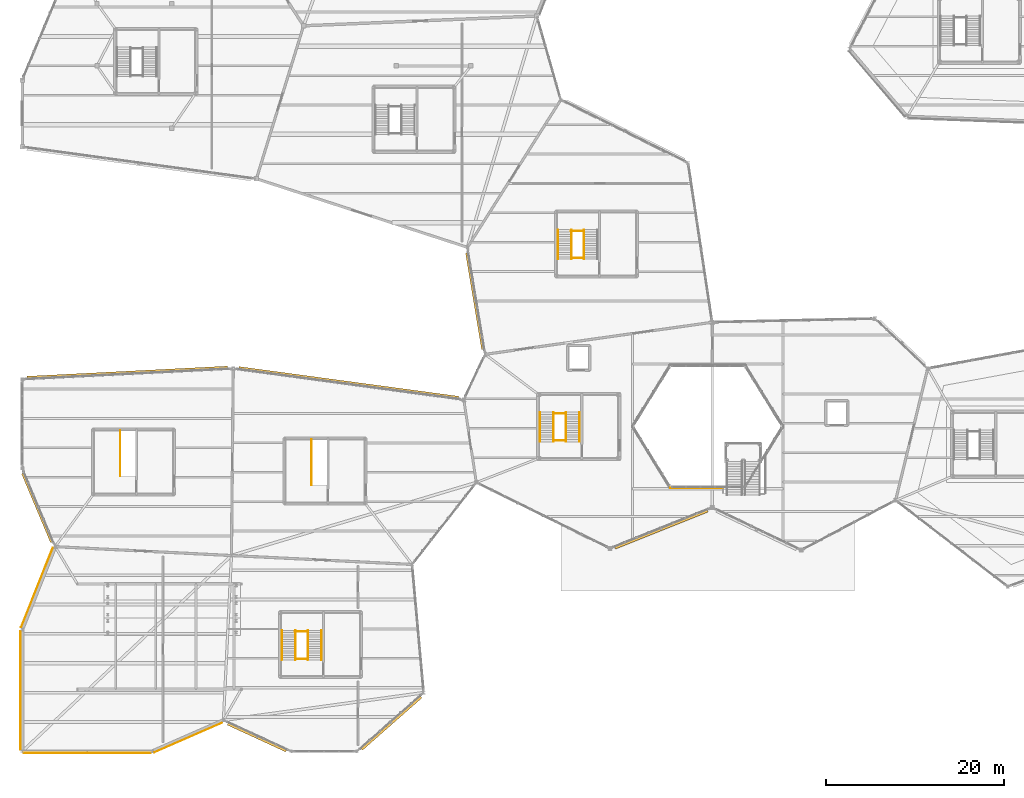
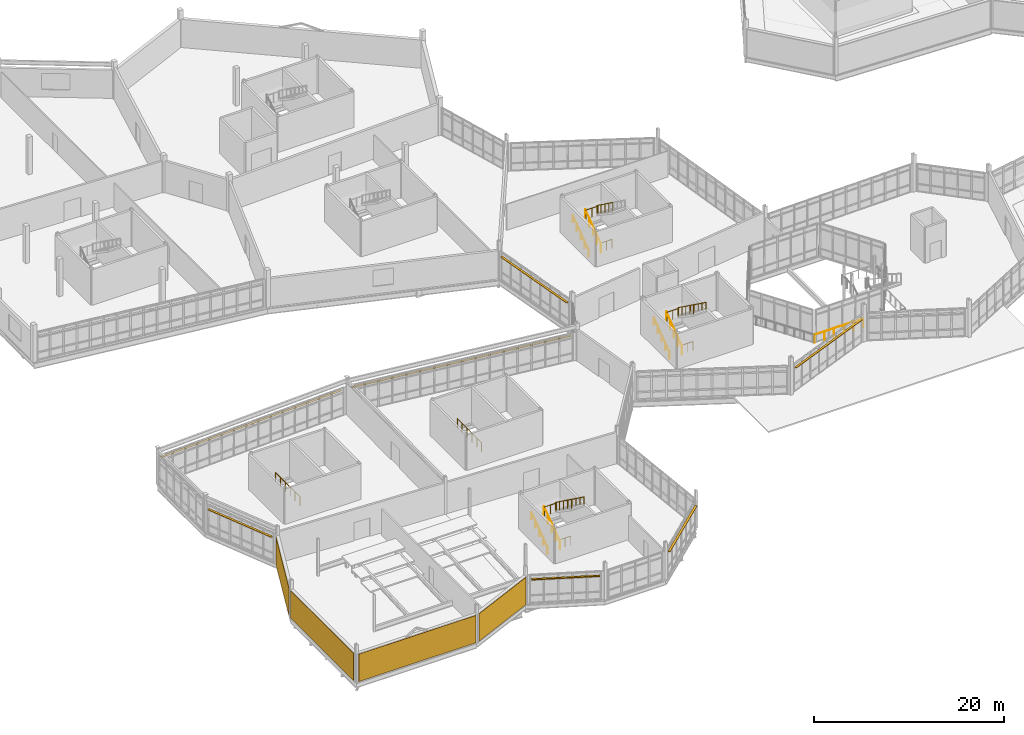
# One storey, part 128 of 134: 20 railings, 7 shading devices, 4 coverings.
"""IFC4 building model written with IfcOpenShell, lengths in metres."""

from ifc_helpers import new_model, si_unit, direction, frame, frame_2d, origin, origin_2d, place, context, subcontext, project, spatial, rectangle, circle, extrude, material, layer, layer_set, type_object, element, save


model = new_model("IFC4")

# Units and contexts
model_context = context("Model", 3, precision=1e-05, world=origin(), true_north=direction((0.0, 1.0)))
body_context = subcontext(model_context, "Body", "Model", "MODEL_VIEW")
ifc_project = project(units=[si_unit("LENGTHUNIT", "METRE"), si_unit("AREAUNIT", "SQUARE_METRE"), si_unit("VOLUMEUNIT", "CUBIC_METRE"), si_unit("PLANEANGLEUNIT", "RADIAN"), si_unit("MASSUNIT", "GRAM", prefix="KILO")], contexts=[model_context])

# Site, building, storey
site_placement = place(None, origin())
site = spatial("IfcSite", under=ifc_project, at=site_placement, CompositionType="ELEMENT")
building_placement = place(site_placement, origin())
building = spatial("IfcBuilding", under=site, at=building_placement, Name="Tameran Prism Museum", CompositionType="ELEMENT")
storey_placement = place(building_placement, frame((0.0, 0.0, 5.39990234375)))
storey = spatial("IfcBuildingStorey", under=building, at=storey_placement, Name="L01", CompositionType="ELEMENT", Elevation=5.39990234375)

# Coverings
ifc_material_1 = material(Name="White Fluted Mineral Precast GRC", Category="concrete")
ifc_layer_1 = layer(ifc_material_1, 0.044921875)
ifc_layer_set_1 = layer_set([ifc_layer_1])
covering_type = type_object("IfcCoveringType", Name="CV-FLUTE-WHT", PredefinedType="CLADDING", material=ifc_layer_set_1)
covering_1_placement = place(storey_placement, frame((-0.118896484375, 13.94091796875, 0.050048828125), z_axis=(0.0, 0.0, 1.0), x_axis=(0.369669339646, 0.929163376014, 0.0)))
element("IfcCovering", 1, at=covering_1_placement, inside=storey, type_object=covering_type, Name="Vertical Fluted White Precast Panel CL-0016", PredefinedType="CLADDING", context=body_context, shape_type="SweptSolid", body=[
    extrude(rectangle(XDim=9.58935546875, YDim=0.044921875, at=frame_2d((4.794677734375, 0.0))), origin(), (0.0, 0.0, 1.0), 3.52001953125),
])
covering_2_placement = place(storey_placement, frame((-0.199951171875, 0.179931640625, 0.050048828125), z_axis=(0.0, 0.0, 1.0), x_axis=(0.0, 1.0, 0.0)))
element("IfcCovering", 2, at=covering_2_placement, inside=storey, type_object=covering_type, Name="Vertical Fluted White Precast Panel CL-0017", PredefinedType="CLADDING", context=body_context, shape_type="SweptSolid", body=[
    extrude(rectangle(XDim=13.340087890625, YDim=0.044921875, at=frame_2d((6.669921875, 0.0))), origin(), (0.0, 0.0, 1.0), 3.52001953125),
])
covering_3_placement = place(storey_placement, frame((14.419921875, -0.199951171875, 0.050048828125), z_axis=(0.0, 0.0, 1.0), x_axis=(-1.0, 0.0, 0.0)))
element("IfcCovering", 3, at=covering_3_placement, inside=storey, type_object=covering_type, Name="Vertical Fluted White Precast Panel CL-0018", PredefinedType="CLADDING", context=body_context, shape_type="SweptSolid", body=[
    extrude(rectangle(XDim=14.239990234375, YDim=0.044921875, at=frame_2d((7.1201171875, 0.0))), origin(), (0.0, 0.0, 1.0), 3.52001953125),
])
covering_4_placement = place(storey_placement, frame((22.4599609375, 3.220947265625, 0.050048828125), z_axis=(0.0, 0.0, 1.0), x_axis=(-0.916136436329, -0.400866598795, 0.0)))
element("IfcCovering", 4, at=covering_4_placement, inside=storey, type_object=covering_type, Name="Vertical Fluted White Precast Panel CL-0019", PredefinedType="CLADDING", context=body_context, shape_type="SweptSolid", body=[
    extrude(rectangle(XDim=8.31201171875, YDim=0.044921875, at=frame_2d((4.156005859375, 0.0))), origin(), (0.0, 0.0, 1.0), 3.52001953125),
])

# Railings
ifc_material_2 = material(Name="Laminated Glass and Stainless Steel 316", Category="steel")
ifc_layer_2 = layer(ifc_material_2, 0.06494140625)
ifc_layer_set_2 = layer_set([ifc_layer_2])
railing_type_1 = type_object("IfcRailingType", Name="RL-BAL-1150", PredefinedType="BALUSTRADE", material=ifc_layer_set_2)
railing_1_placement = place(storey_placement, frame((78.699951171875, 29.60009765625, 0.0)))
element("IfcRailing", 5, at=railing_1_placement, inside=storey, type_object=railing_type_1, Name="Atrium Void Balustrade BL-A009", PredefinedType="BALUSTRADE", context=body_context, shape_type="SweptSolid", body=[
    extrude(circle(Radius=0.02392578125, at=origin_2d()), frame((0.0, 0.0, 1.1259765625), z_axis=(-1.0, 0.0, 0.0), x_axis=(0.0, -1.0, 0.0)), (0.0, 0.0, 1.0), 5.89990234375),
    extrude(circle(Radius=0.02099609375, at=origin_2d()), origin(), (0.0, 0.0, 1.0), 1.101806640625),
    extrude(circle(Radius=0.02099609375, at=origin_2d()), frame((-1.179931640625, 0.0, 0.0)), (0.0, 0.0, 1.0), 1.101806640625),
    extrude(circle(Radius=0.02099609375, at=origin_2d()), frame((-2.35986328125, 0.0, 0.0)), (0.0, 0.0, 1.0), 1.101806640625),
    extrude(circle(Radius=0.02099609375, at=origin_2d()), frame((-3.5400390625, 0.0, 0.0)), (0.0, 0.0, 1.0), 1.101806640625),
    extrude(circle(Radius=0.02099609375, at=origin_2d()), frame((-4.719970703125, 0.0, 0.0)), (0.0, 0.0, 1.0), 1.101806640625),
    extrude(circle(Radius=0.02099609375, at=origin_2d()), frame((-5.89990234375, 0.0, 0.0)), (0.0, 0.0, 1.0), 1.101806640625),
])
ifc_material_3 = material(Name="Marine Stainless Steel 316", Category="steel")
ifc_layer_3 = layer(ifc_material_3, 0.054931640625)
ifc_layer_set_3 = layer_set([ifc_layer_3])
railing_type_2 = type_object("IfcRailingType", Name="RL-GR-1120", PredefinedType="GUARDRAIL", material=ifc_layer_set_3)
railing_2_placement = place(storey_placement, frame((59.68994140625, 34.89990234375, 0.0)))
element("IfcRailing", 6, at=railing_2_placement, inside=storey, type_object=railing_type_2, Name="Stair Well Slot Guard GR-S092", PredefinedType="GUARDRAIL", context=body_context, shape_type="SweptSolid", body=[
    extrude(circle(Radius=0.02392578125, at=origin_2d()), frame((0.0, 0.0, 1.1259765625), z_axis=(1.0, 0.0, 0.0), x_axis=(0.0, 1.0, 0.0)), (0.0, 0.0, 1.0), 1.3701171875),
    extrude(circle(Radius=0.02099609375, at=origin_2d()), origin(), (0.0, 0.0, 1.0), 1.101806640625),
    extrude(circle(Radius=0.02099609375, at=origin_2d()), frame((0.68505859375, 0.0, 0.0)), (0.0, 0.0, 1.0), 1.101806640625),
    extrude(circle(Radius=0.02099609375, at=origin_2d()), frame((1.3701171875, 0.0, 0.0)), (0.0, 0.0, 1.0), 1.101806640625),
])
railing_3_placement = place(storey_placement, frame((59.669921875, 34.780029296875, 0.0)))
element("IfcRailing", 7, at=railing_3_placement, inside=storey, type_object=railing_type_2, Name="Stair Well Guardrail GR-S093", PredefinedType="GUARDRAIL", context=body_context, shape_type="SweptSolid", body=[
    extrude(circle(Radius=0.02392578125, at=origin_2d()), frame((0.0, 0.0, 1.1259765625), z_axis=(0.0, 0.809980229442, 0.586457183359), x_axis=(-1.0, 0.0, 0.0)), (0.0, 0.0, 1.0), 4.092529296875),
    extrude(circle(Radius=0.02099609375, at=origin_2d()), origin(), (0.0, 0.0, 1.0), 1.101806640625),
    extrude(circle(Radius=0.02099609375, at=origin_2d()), frame((0.0, 0.82861328125, 0.60009765625)), (0.0, 0.0, 1.0), 1.101806640625),
    extrude(circle(Radius=0.02099609375, at=origin_2d()), frame((0.0, 1.657470703125, 1.2001953125)), (0.0, 0.0, 1.0), 1.101806640625),
    extrude(circle(Radius=0.02099609375, at=origin_2d()), frame((0.0, 2.486328125, 1.800048828125)), (0.0, 0.0, 1.0), 1.101806640625),
    extrude(circle(Radius=0.02099609375, at=origin_2d()), frame((0.0, 3.31494140625, 2.400146484375)), (0.0, 0.0, 1.0), 1.101806640625),
])
railing_4_placement = place(storey_placement, frame((61.080078125, 38.094970703125, 2.400146484375)))
element("IfcRailing", 8, at=railing_4_placement, inside=storey, type_object=railing_type_2, Name="Stair Well Guardrail GR-S094", PredefinedType="GUARDRAIL", context=body_context, shape_type="SweptSolid", body=[
    extrude(circle(Radius=0.02392578125, at=origin_2d()), frame((0.0, 0.0, 1.1259765625), z_axis=(0.0, -0.810008566192, 0.586418044312), x_axis=(1.0, 0.0, 0.0)), (0.0, 0.0, 1.0), 4.092529296875),
    extrude(circle(Radius=0.02099609375, at=origin_2d()), origin(), (0.0, 0.0, 1.0), 1.101806640625),
    extrude(circle(Radius=0.02099609375, at=origin_2d()), frame((0.0, -0.82861328125, 0.60009765625)), (0.0, 0.0, 1.0), 1.101806640625),
    extrude(circle(Radius=0.02099609375, at=origin_2d()), frame((0.0, -1.657470703125, 1.199951171875)), (0.0, 0.0, 1.0), 1.101806640625),
    extrude(circle(Radius=0.02099609375, at=origin_2d()), frame((0.0, -2.486328125, 1.7998046875)), (0.0, 0.0, 1.0), 1.101806640625),
    extrude(circle(Radius=0.02099609375, at=origin_2d()), frame((0.0, -3.31494140625, 2.39990234375)), (0.0, 0.0, 1.0), 1.101806640625),
])
railing_5_placement = place(storey_placement, frame((59.64990234375, 37.955078125, 2.400146484375)))
element("IfcRailing", 9, at=railing_5_placement, inside=storey, type_object=railing_type_2, Name="Landing Well Guardrail GR-S095", PredefinedType="GUARDRAIL", context=body_context, shape_type="SweptSolid", body=[
    extrude(circle(Radius=0.02392578125, at=origin_2d()), frame((0.0, 0.0, 1.1259765625), z_axis=(1.0, 0.0, 0.0), x_axis=(0.0, 1.0, 0.0)), (0.0, 0.0, 1.0), 1.4501953125),
    extrude(circle(Radius=0.02099609375, at=origin_2d()), origin(), (0.0, 0.0, 1.0), 1.101806640625),
    extrude(circle(Radius=0.02099609375, at=origin_2d()), frame((0.72509765625, 0.0, 0.0)), (0.0, 0.0, 1.0), 1.101806640625),
    extrude(circle(Radius=0.02099609375, at=origin_2d()), frame((1.4501953125, 0.0, 0.0)), (0.0, 0.0, 1.0), 1.101806640625),
])
railing_6_placement = place(storey_placement, frame((61.68994140625, 55.39990234375, 0.0)))
element("IfcRailing", 10, at=railing_6_placement, inside=storey, type_object=railing_type_2, Name="Stair Well Slot Guard GR-S112", PredefinedType="GUARDRAIL", context=body_context, shape_type="SweptSolid", body=[
    extrude(circle(Radius=0.02392578125, at=origin_2d()), frame((0.0, 0.0, 1.1259765625), z_axis=(1.0, 0.0, 0.0), x_axis=(0.0, 1.0, 0.0)), (0.0, 0.0, 1.0), 1.3701171875),
    extrude(circle(Radius=0.02099609375, at=origin_2d()), origin(), (0.0, 0.0, 1.0), 1.101806640625),
    extrude(circle(Radius=0.02099609375, at=origin_2d()), frame((0.68505859375, 0.0, 0.0)), (0.0, 0.0, 1.0), 1.101806640625),
    extrude(circle(Radius=0.02099609375, at=origin_2d()), frame((1.3701171875, 0.0, 0.0)), (0.0, 0.0, 1.0), 1.101806640625),
])
railing_7_placement = place(storey_placement, frame((61.669921875, 55.280029296875, 0.0)))
element("IfcRailing", 11, at=railing_7_placement, inside=storey, type_object=railing_type_2, Name="Stair Well Guardrail GR-S113", PredefinedType="GUARDRAIL", context=body_context, shape_type="SweptSolid", body=[
    extrude(circle(Radius=0.02392578125, at=origin_2d()), frame((0.0, 0.0, 1.1259765625), z_axis=(0.0, 0.809980229442, 0.586457183359), x_axis=(-1.0, 0.0, 0.0)), (0.0, 0.0, 1.0), 4.092529296875),
    extrude(circle(Radius=0.02099609375, at=origin_2d()), origin(), (0.0, 0.0, 1.0), 1.101806640625),
    extrude(circle(Radius=0.02099609375, at=origin_2d()), frame((0.0, 0.82861328125, 0.60009765625)), (0.0, 0.0, 1.0), 1.101806640625),
    extrude(circle(Radius=0.02099609375, at=origin_2d()), frame((0.0, 1.657470703125, 1.2001953125)), (0.0, 0.0, 1.0), 1.101806640625),
    extrude(circle(Radius=0.02099609375, at=origin_2d()), frame((0.0, 2.486328125, 1.800048828125)), (0.0, 0.0, 1.0), 1.101806640625),
    extrude(circle(Radius=0.02099609375, at=origin_2d()), frame((0.0, 3.31494140625, 2.400146484375)), (0.0, 0.0, 1.0), 1.101806640625),
])
railing_8_placement = place(storey_placement, frame((63.080078125, 58.594970703125, 2.400146484375)))
element("IfcRailing", 12, at=railing_8_placement, inside=storey, type_object=railing_type_2, Name="Stair Well Guardrail GR-S114", PredefinedType="GUARDRAIL", context=body_context, shape_type="SweptSolid", body=[
    extrude(circle(Radius=0.02392578125, at=origin_2d()), frame((0.0, 0.0, 1.1259765625), z_axis=(0.0, -0.810008566192, 0.586418044312), x_axis=(1.0, 0.0, 0.0)), (0.0, 0.0, 1.0), 4.092529296875),
    extrude(circle(Radius=0.02099609375, at=origin_2d()), origin(), (0.0, 0.0, 1.0), 1.101806640625),
    extrude(circle(Radius=0.02099609375, at=origin_2d()), frame((0.0, -0.82861328125, 0.60009765625)), (0.0, 0.0, 1.0), 1.101806640625),
    extrude(circle(Radius=0.02099609375, at=origin_2d()), frame((0.0, -1.657470703125, 1.199951171875)), (0.0, 0.0, 1.0), 1.101806640625),
    extrude(circle(Radius=0.02099609375, at=origin_2d()), frame((0.0, -2.486328125, 1.7998046875)), (0.0, 0.0, 1.0), 1.101806640625),
    extrude(circle(Radius=0.02099609375, at=origin_2d()), frame((0.0, -3.31494140625, 2.39990234375)), (0.0, 0.0, 1.0), 1.101806640625),
])
railing_9_placement = place(storey_placement, frame((61.64990234375, 58.455078125, 2.400146484375)))
element("IfcRailing", 13, at=railing_9_placement, inside=storey, type_object=railing_type_2, Name="Landing Well Guardrail GR-S115", PredefinedType="GUARDRAIL", context=body_context, shape_type="SweptSolid", body=[
    extrude(circle(Radius=0.02392578125, at=origin_2d()), frame((0.0, 0.0, 1.1259765625), z_axis=(1.0, 0.0, 0.0), x_axis=(0.0, 1.0, 0.0)), (0.0, 0.0, 1.0), 1.4501953125),
    extrude(circle(Radius=0.02099609375, at=origin_2d()), origin(), (0.0, 0.0, 1.0), 1.101806640625),
    extrude(circle(Radius=0.02099609375, at=origin_2d()), frame((0.72509765625, 0.0, 0.0)), (0.0, 0.0, 1.0), 1.101806640625),
    extrude(circle(Radius=0.02099609375, at=origin_2d()), frame((1.4501953125, 0.0, 0.0)), (0.0, 0.0, 1.0), 1.101806640625),
])
railing_10_placement = place(storey_placement, frame((30.68994140625, 10.39990234375, 0.0)))
element("IfcRailing", 14, at=railing_10_placement, inside=storey, type_object=railing_type_2, Name="Stair Well Slot Guard GR-S156", PredefinedType="GUARDRAIL", context=body_context, shape_type="SweptSolid", body=[
    extrude(circle(Radius=0.02392578125, at=origin_2d()), frame((0.0, 0.0, 1.1259765625), z_axis=(1.0, 0.0, 0.0), x_axis=(0.0, 1.0, 0.0)), (0.0, 0.0, 1.0), 1.3701171875),
    extrude(circle(Radius=0.02099609375, at=origin_2d()), origin(), (0.0, 0.0, 1.0), 1.101806640625),
    extrude(circle(Radius=0.02099609375, at=origin_2d()), frame((0.68505859375, 0.0, 0.0)), (0.0, 0.0, 1.0), 1.101806640625),
    extrude(circle(Radius=0.02099609375, at=origin_2d()), frame((1.3701171875, 0.0, 0.0)), (0.0, 0.0, 1.0), 1.101806640625),
])
railing_11_placement = place(storey_placement, frame((30.669921875, 10.280029296875, 0.0)))
element("IfcRailing", 15, at=railing_11_placement, inside=storey, type_object=railing_type_2, Name="Stair Well Guardrail GR-S157", PredefinedType="GUARDRAIL", context=body_context, shape_type="SweptSolid", body=[
    extrude(circle(Radius=0.02392578125, at=origin_2d()), frame((0.0, 0.0, 1.1259765625), z_axis=(0.0, 0.809980229442, 0.586457183359), x_axis=(-1.0, 0.0, 0.0)), (0.0, 0.0, 1.0), 4.092529296875),
    extrude(circle(Radius=0.02099609375, at=origin_2d()), origin(), (0.0, 0.0, 1.0), 1.101806640625),
    extrude(circle(Radius=0.02099609375, at=origin_2d()), frame((0.0, 0.82861328125, 0.60009765625)), (0.0, 0.0, 1.0), 1.101806640625),
    extrude(circle(Radius=0.02099609375, at=origin_2d()), frame((0.0, 1.657470703125, 1.2001953125)), (0.0, 0.0, 1.0), 1.101806640625),
    extrude(circle(Radius=0.02099609375, at=origin_2d()), frame((0.0, 2.486328125, 1.800048828125)), (0.0, 0.0, 1.0), 1.101806640625),
    extrude(circle(Radius=0.02099609375, at=origin_2d()), frame((0.0, 3.31494140625, 2.400146484375)), (0.0, 0.0, 1.0), 1.101806640625),
])
railing_12_placement = place(storey_placement, frame((32.080078125, 13.594970703125, 2.400146484375)))
element("IfcRailing", 16, at=railing_12_placement, inside=storey, type_object=railing_type_2, Name="Stair Well Guardrail GR-S158", PredefinedType="GUARDRAIL", context=body_context, shape_type="SweptSolid", body=[
    extrude(circle(Radius=0.02392578125, at=origin_2d()), frame((0.0, 0.0, 1.1259765625), z_axis=(0.0, -0.810008566192, 0.586418044312), x_axis=(1.0, 0.0, 0.0)), (0.0, 0.0, 1.0), 4.092529296875),
    extrude(circle(Radius=0.02099609375, at=origin_2d()), origin(), (0.0, 0.0, 1.0), 1.101806640625),
    extrude(circle(Radius=0.02099609375, at=origin_2d()), frame((0.0, -0.82861328125, 0.60009765625)), (0.0, 0.0, 1.0), 1.101806640625),
    extrude(circle(Radius=0.02099609375, at=origin_2d()), frame((0.0, -1.657470703125, 1.199951171875)), (0.0, 0.0, 1.0), 1.101806640625),
    extrude(circle(Radius=0.02099609375, at=origin_2d()), frame((0.0, -2.486328125, 1.7998046875)), (0.0, 0.0, 1.0), 1.101806640625),
    extrude(circle(Radius=0.02099609375, at=origin_2d()), frame((0.0, -3.31494140625, 2.39990234375)), (0.0, 0.0, 1.0), 1.101806640625),
])
railing_13_placement = place(storey_placement, frame((30.64990234375, 13.455078125, 2.400146484375)))
element("IfcRailing", 17, at=railing_13_placement, inside=storey, type_object=railing_type_2, Name="Landing Well Guardrail GR-S159", PredefinedType="GUARDRAIL", context=body_context, shape_type="SweptSolid", body=[
    extrude(circle(Radius=0.02392578125, at=origin_2d()), frame((0.0, 0.0, 1.1259765625), z_axis=(1.0, 0.0, 0.0), x_axis=(0.0, 1.0, 0.0)), (0.0, 0.0, 1.0), 1.4501953125),
    extrude(circle(Radius=0.02099609375, at=origin_2d()), origin(), (0.0, 0.0, 1.0), 1.101806640625),
    extrude(circle(Radius=0.02099609375, at=origin_2d()), frame((0.72509765625, 0.0, 0.0)), (0.0, 0.0, 1.0), 1.101806640625),
    extrude(circle(Radius=0.02099609375, at=origin_2d()), frame((1.4501953125, 0.0, 0.0)), (0.0, 0.0, 1.0), 1.101806640625),
])
for number, where, name in (
    (18, (11.010009765625, 30.919921875, 0.0), "Stair Well Slot Guard GR-S176"),
    (19, (32.510009765625, 29.919921875, 0.0), "Stair Well Slot Guard GR-S188"),
):
    element("IfcRailing", number, at=place(storey_placement, frame(where)), inside=storey, type_object=railing_type_2, Name=name, PredefinedType="GUARDRAIL", context=body_context, shape_type="SweptSolid", body=[
        extrude(circle(Radius=0.02392578125, at=origin_2d()), frame((0.0, 0.0, 1.1259765625), z_axis=(0.0, 1.0, 0.0), x_axis=(-1.0, 0.0, 0.0)), (0.0, 0.0, 1.0), 5.130126953125),
        extrude(circle(Radius=0.02099609375, at=origin_2d()), origin(), (0.0, 0.0, 1.0), 1.101806640625),
        extrude(circle(Radius=0.02099609375, at=origin_2d()), frame((0.0, 1.026123046875, 0.0)), (0.0, 0.0, 1.0), 1.101806640625),
        extrude(circle(Radius=0.02099609375, at=origin_2d()), frame((0.0, 2.052001953125, 0.0)), (0.0, 0.0, 1.0), 1.101806640625),
        extrude(circle(Radius=0.02099609375, at=origin_2d()), frame((0.0, 3.078125, 0.0)), (0.0, 0.0, 1.0), 1.101806640625),
        extrude(circle(Radius=0.02099609375, at=origin_2d()), frame((0.0, 4.10400390625, 0.0)), (0.0, 0.0, 1.0), 1.101806640625),
        extrude(circle(Radius=0.02099609375, at=origin_2d()), frame((0.0, 5.130126953125, 0.0)), (0.0, 0.0, 1.0), 1.101806640625),
    ])
ifc_material_4 = material(Name="Brushed Stainless Steel 316", Category="steel")
ifc_layer_4 = layer(ifc_material_4, 0.048095703125)
ifc_layer_set_4 = layer_set([ifc_layer_4])
railing_type_3 = type_object("IfcRailingType", Name="RL-HR-920", PredefinedType="HANDRAIL", material=ifc_layer_set_4)
railing_14_placement = place(storey_placement, frame((58.159912109375, 34.780029296875, 0.0)))
element("IfcRailing", 20, at=railing_14_placement, inside=storey, type_object=railing_type_3, Name="Stair Flight Handrail HR-047", PredefinedType="HANDRAIL", context=body_context, shape_type="SweptSolid", body=[
    extrude(circle(Radius=0.02392578125, at=origin_2d()), frame((0.0, 0.0, 0.89599609375), z_axis=(0.0, 0.809980229442, 0.586457183359), x_axis=(-1.0, 0.0, 0.0)), (0.0, 0.0, 1.0), 4.092529296875),
    extrude(circle(Radius=0.02099609375, at=origin_2d()), origin(), (0.0, 0.0, 1.0), 0.871826171875),
    extrude(circle(Radius=0.02099609375, at=origin_2d()), frame((0.0, 0.82861328125, 0.60009765625)), (0.0, 0.0, 1.0), 0.871826171875),
    extrude(circle(Radius=0.02099609375, at=origin_2d()), frame((0.0, 1.657470703125, 1.2001953125)), (0.0, 0.0, 1.0), 0.871826171875),
    extrude(circle(Radius=0.02099609375, at=origin_2d()), frame((0.0, 2.486328125, 1.800048828125)), (0.0, 0.0, 1.0), 0.871826171875),
    extrude(circle(Radius=0.02099609375, at=origin_2d()), frame((0.0, 3.31494140625, 2.400146484375)), (0.0, 0.0, 1.0), 0.871826171875),
])
railing_15_placement = place(storey_placement, frame((62.590087890625, 38.094970703125, 2.400146484375)))
element("IfcRailing", 21, at=railing_15_placement, inside=storey, type_object=railing_type_3, Name="Stair Flight Handrail HR-048", PredefinedType="HANDRAIL", context=body_context, shape_type="SweptSolid", body=[
    extrude(circle(Radius=0.02392578125, at=origin_2d()), frame((0.0, 0.0, 0.89599609375), z_axis=(0.0, -0.810008566192, 0.586418044312), x_axis=(1.0, 0.0, 0.0)), (0.0, 0.0, 1.0), 4.092529296875),
    extrude(circle(Radius=0.02099609375, at=origin_2d()), origin(), (0.0, 0.0, 1.0), 0.871826171875),
    extrude(circle(Radius=0.02099609375, at=origin_2d()), frame((0.0, -0.82861328125, 0.60009765625)), (0.0, 0.0, 1.0), 0.871826171875),
    extrude(circle(Radius=0.02099609375, at=origin_2d()), frame((0.0, -1.657470703125, 1.199951171875)), (0.0, 0.0, 1.0), 0.871826171875),
    extrude(circle(Radius=0.02099609375, at=origin_2d()), frame((0.0, -2.486328125, 1.7998046875)), (0.0, 0.0, 1.0), 0.871826171875),
    extrude(circle(Radius=0.02099609375, at=origin_2d()), frame((0.0, -3.31494140625, 2.39990234375)), (0.0, 0.0, 1.0), 0.871826171875),
])
for number, where, name in (
    (22, (60.159912109375, 55.280029296875, 0.0), "Stair Flight Handrail HR-057"),
    (23, (29.159912109375, 10.280029296875, 0.0), "Stair Flight Handrail HR-079"),
):
    element("IfcRailing", number, at=place(storey_placement, frame(where)), inside=storey, type_object=railing_type_3, Name=name, PredefinedType="HANDRAIL", context=body_context, shape_type="SweptSolid", body=[
        extrude(circle(Radius=0.02392578125, at=origin_2d()), frame((0.0, 0.0, 0.89599609375), z_axis=(0.0, 0.809980229442, 0.586457183359), x_axis=(-1.0, 0.0, 0.0)), (0.0, 0.0, 1.0), 4.092529296875),
        extrude(circle(Radius=0.02099609375, at=origin_2d()), origin(), (0.0, 0.0, 1.0), 0.871826171875),
        extrude(circle(Radius=0.02099609375, at=origin_2d()), frame((0.0, 0.82861328125, 0.60009765625)), (0.0, 0.0, 1.0), 0.871826171875),
        extrude(circle(Radius=0.02099609375, at=origin_2d()), frame((0.0, 1.657470703125, 1.2001953125)), (0.0, 0.0, 1.0), 0.871826171875),
        extrude(circle(Radius=0.02099609375, at=origin_2d()), frame((0.0, 2.486328125, 1.800048828125)), (0.0, 0.0, 1.0), 0.871826171875),
        extrude(circle(Radius=0.02099609375, at=origin_2d()), frame((0.0, 3.31494140625, 2.400146484375)), (0.0, 0.0, 1.0), 0.871826171875),
    ])
railing_16_placement = place(storey_placement, frame((33.590087890625, 13.594970703125, 2.400146484375)))
element("IfcRailing", 24, at=railing_16_placement, inside=storey, type_object=railing_type_3, Name="Stair Flight Handrail HR-080", PredefinedType="HANDRAIL", context=body_context, shape_type="SweptSolid", body=[
    extrude(circle(Radius=0.02392578125, at=origin_2d()), frame((0.0, 0.0, 0.89599609375), z_axis=(0.0, -0.810008566192, 0.586418044312), x_axis=(1.0, 0.0, 0.0)), (0.0, 0.0, 1.0), 4.092529296875),
    extrude(circle(Radius=0.02099609375, at=origin_2d()), origin(), (0.0, 0.0, 1.0), 0.871826171875),
    extrude(circle(Radius=0.02099609375, at=origin_2d()), frame((0.0, -0.82861328125, 0.60009765625)), (0.0, 0.0, 1.0), 0.871826171875),
    extrude(circle(Radius=0.02099609375, at=origin_2d()), frame((0.0, -1.657470703125, 1.199951171875)), (0.0, 0.0, 1.0), 0.871826171875),
    extrude(circle(Radius=0.02099609375, at=origin_2d()), frame((0.0, -2.486328125, 1.7998046875)), (0.0, 0.0, 1.0), 0.871826171875),
    extrude(circle(Radius=0.02099609375, at=origin_2d()), frame((0.0, -3.31494140625, 2.39990234375)), (0.0, 0.0, 1.0), 0.871826171875),
])

# Shading devices
ifc_material_5 = material(Name="Anodised Aluminium Alloy 6063-T6", Category="aluminium")
ifc_layer_5 = layer(ifc_material_5, 0.044921875)
ifc_layer_set_5 = layer_set([ifc_layer_5])
shading_device_type_1 = type_object("IfcShadingDeviceType", Name="SH-JAL-240", PredefinedType="JALOUSIE", material=ifc_layer_set_5)
shading_device_1_placement = place(storey_placement, frame((71.7890625, 24.922119140625, 3.14013671875), z_axis=(0.0, 0.0, 1.0), x_axis=(-0.928485826881, -0.37136783555, 0.0)))
element("IfcShadingDevice", 25, at=shading_device_1_placement, inside=storey, type_object=shading_device_type_1, Name="Monsoon Storm Louvre SLV-022", PredefinedType="JALOUSIE", context=body_context, shape_type="SweptSolid", body=[
    extrude(rectangle(XDim=11.22607421875, YDim=0.260009765625, at=origin_2d()), origin(), (0.0, 0.0, 1.0), 0.06005859375),
])
shading_device_2_placement = place(storey_placement, frame((26.35205078125, 1.574951171875, 3.14013671875), z_axis=(0.0, 0.0, 1.0), x_axis=(-0.908289258312, 0.418342710268, 0.0)))
element("IfcShadingDevice", 26, at=shading_device_2_placement, inside=storey, type_object=shading_device_type_1, Name="Monsoon Storm Louvre SLV-032", PredefinedType="JALOUSIE", context=body_context, shape_type="SweptSolid", body=[
    extrude(rectangle(XDim=7.2080078125, YDim=0.260009765625, at=origin_2d()), origin(), (0.0, 0.0, 1.0), 0.06005859375),
])
shading_device_3_placement = place(storey_placement, frame((11.81103515625, 42.577880859375, 3.14013671875), z_axis=(0.0, 0.0, 1.0), x_axis=(0.998719357184, 0.050592940077, 0.0)))
element("IfcShadingDevice", 27, at=shading_device_3_placement, inside=storey, type_object=shading_device_type_1, Name="Monsoon Storm Louvre SLV-034", PredefinedType="JALOUSIE", context=body_context, shape_type="SweptSolid", body=[
    extrude(rectangle(XDim=22.570068359375, YDim=0.260009765625, at=origin_2d()), origin(), (0.0, 0.0, 1.0), 0.06005859375),
])
shading_device_4_placement = place(storey_placement, frame((36.675048828125, 41.427978515625, 3.14013671875), z_axis=(0.0, 0.0, 1.0), x_axis=(0.990983199715, -0.133986185418, 0.0)))
element("IfcShadingDevice", 28, at=shading_device_4_placement, inside=storey, type_object=shading_device_type_1, Name="Monsoon Storm Louvre SLV-036", PredefinedType="JALOUSIE", context=body_context, shape_type="SweptSolid", body=[
    extrude(rectangle(XDim=24.9150390625, YDim=0.260009765625, at=origin_2d()), origin(), (0.0, 0.0, 1.0), 0.06005859375),
])
ifc_material_6 = material(Name="Anodised Aluminium Alloy 6063-T6", Category="aluminium")
ifc_layer_6 = layer(ifc_material_6, 0.050048828125)
ifc_layer_set_6 = layer_set([ifc_layer_6])
shading_device_type_2 = type_object("IfcShadingDeviceType", Name="SH-LOUV-300", PredefinedType="SHUTTER", material=ifc_layer_set_6)
shading_device_5_placement = place(storey_placement, frame((50.822021484375, 50.570068359375, 3.14013671875), z_axis=(0.0, 0.0, 1.0), x_axis=(-0.164359008451, 0.986400586142, 0.0)))
element("IfcShadingDevice", 29, at=shading_device_5_placement, inside=storey, type_object=shading_device_type_2, Name="Monsoon Storm Louvre SLV-025", PredefinedType="SHUTTER", context=body_context, shape_type="SweptSolid", body=[
    extrude(rectangle(XDim=10.946044921875, YDim=0.260009765625, at=origin_2d()), origin(), (0.0, 0.0, 1.0), 0.06005859375),
])
shading_device_6_placement = place(storey_placement, frame((41.468994140625, 3.1650390625, 3.14013671875), z_axis=(0.0, 0.0, 1.0), x_axis=(-0.750687887408, -0.660657018202, 0.0)))
element("IfcShadingDevice", 30, at=shading_device_6_placement, inside=storey, type_object=shading_device_type_2, Name="Monsoon Storm Louvre SLV-033", PredefinedType="SHUTTER", context=body_context, shape_type="SweptSolid", body=[
    extrude(rectangle(XDim=8.889892578125, YDim=0.260009765625, at=origin_2d()), origin(), (0.0, 0.0, 1.0), 0.06005859375),
])
shading_device_7_placement = place(storey_placement, frame((1.673095703125, 27.35791015625, 3.14013671875), z_axis=(0.0, 0.0, 1.0), x_axis=(-0.387676476022, 0.921795503319, 0.0)))
element("IfcShadingDevice", 31, at=shading_device_7_placement, inside=storey, type_object=shading_device_type_2, Name="Monsoon Storm Louvre SLV-035", PredefinedType="SHUTTER", context=body_context, shape_type="SweptSolid", body=[
    extrude(rectangle(XDim=8.386962890625, YDim=0.260009765625, at=origin_2d()), origin(), (0.0, 0.0, 1.0), 0.06005859375),
])

save(model, "model.ifc")
